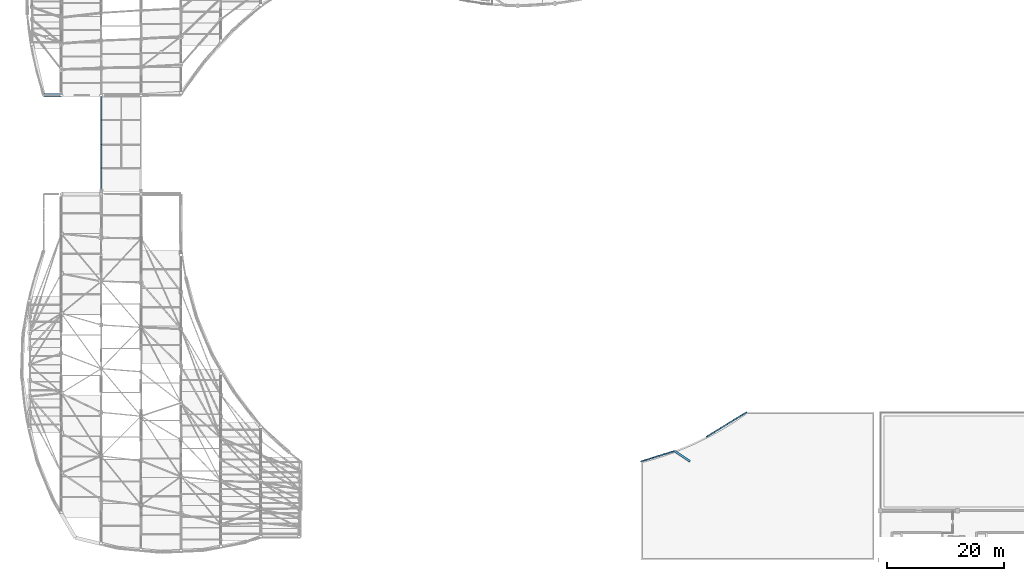
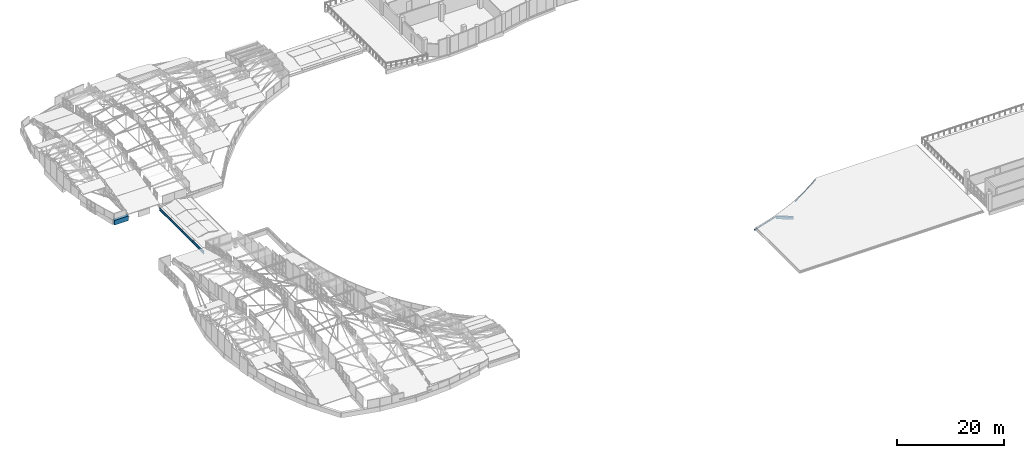
# One storey, part 63 of 188: 8 beams.
"""IFC4 building model written with IfcOpenShell, lengths in metres."""

from ifc_helpers import new_model, si_unit, direction, frame, origin, origin_2d, place, context, subcontext, project, spatial, rectangle, hollow_rectangle, i_section, extrude, material, material_profile, profile_set, type_object, element, save


model = new_model("IFC4")

# Units and contexts
model_context = context("Model", 3, precision=1e-05, world=origin(), true_north=direction((0.0, 1.0)))
body_context = subcontext(model_context, "Body", "Model", "MODEL_VIEW")
ifc_project = project(units=[si_unit("LENGTHUNIT", "METRE"), si_unit("AREAUNIT", "SQUARE_METRE"), si_unit("VOLUMEUNIT", "CUBIC_METRE"), si_unit("PLANEANGLEUNIT", "RADIAN"), si_unit("MASSUNIT", "GRAM", prefix="KILO")], contexts=[model_context])

# Site, building, storey
site_placement = place(None, origin())
site = spatial("IfcSite", under=ifc_project, at=site_placement, CompositionType="ELEMENT")
building_placement = place(site_placement, origin())
building = spatial("IfcBuilding", under=site, at=building_placement, Name="Kisaragi Civic Commons", CompositionType="ELEMENT")
storey_placement = place(building_placement, frame((0.0, 0.0, 9.60009765625)))
storey = spatial("IfcBuildingStorey", under=building, at=storey_placement, Name="L02", CompositionType="ELEMENT", Elevation=9.60009765625)

# Beams
ifc_material_1 = material(Name="Concrete Fc36", Category="concrete")
ifc_material_profile_1 = material_profile(ifc_material_1, rectangle(XDim=0.60009765625, YDim=1.050048828125, at=origin_2d()), Name="RC-600x1050", Category="concrete")
ifc_profile_set_1 = profile_set([ifc_material_profile_1], Name="Concrete Fc36")
beam_type_1 = type_object("IfcBeamType", Name="G-06", PredefinedType="BEAM", material=ifc_profile_set_1)
beam_1_placement = place(storey_placement, frame((3.800048828125, 79.199951171875, -0.84521484375), z_axis=(1.0, 0.0, 0.0), x_axis=(0.0, 1.0, 0.0)))
element("IfcBeam", 1, at=beam_1_placement, inside=storey, type_object=beam_type_1, Name="L02 girder G-06 268", PredefinedType="BEAM", context=body_context, shape_type="SweptSolid", body=[
    extrude(rectangle(XDim=0.60009765625, YDim=1.050048828125, at=origin_2d()), origin(), (0.0, 0.0, 1.0), 3.0),
])
ifc_material_2 = material(Name="Steel SN490 (SN490B)", Category="steel")
ifc_material_profile_2 = material_profile(ifc_material_2, i_section(OverallWidth=0.199951171875, OverallDepth=0.60009765625, WebThickness=0.010986328125, FlangeThickness=0.01708984375, FilletRadius=0.012939453125, at=origin_2d()), Name="H-600x200x11x17", Category="steel")
ifc_profile_set_2 = profile_set([ifc_material_profile_2], Name="Steel SN490 (SN490B)")
beam_type_2 = type_object("IfcBeamType", Name="G-10", PredefinedType="BEAM", material=ifc_profile_set_2)
for number, where, z_axis, x_axis, name in (
    (2, (13.60009765625, 79.199951171875, -1.190185546875), (0.0, -1.0, 0.0), (1.0, 0.0, 0.0), "BR-V2-V1 L02 bridge girder 76"),
    (3, (13.60009765625, 75.0, -1.190185546875), (0.0, -1.0, 0.0), (1.0, 0.0, 0.0), "BR-V2-V1 L02 bridge girder 77"),
):
    element("IfcBeam", number, at=place(storey_placement, frame(where, z_axis=z_axis, x_axis=x_axis)), inside=storey, type_object=beam_type_2, Name=name, PredefinedType="BEAM", context=body_context, shape_type="SweptSolid", body=[
        extrude(i_section(OverallWidth=0.199951171875, OverallDepth=0.60009765625, WebThickness=0.010986328125, FlangeThickness=0.01708984375, FilletRadius=0.012939453125, at=origin_2d()), origin(), (0.0, 0.0, 1.0), 4.199951171875),
    ])
beam_2_placement = place(storey_placement, frame((13.60009765625, 70.800048828125, -1.190185546875), z_axis=(0.0, -1.0, 0.0), x_axis=(1.0, 0.0, 0.0)))
element("IfcBeam", 4, at=beam_2_placement, inside=storey, type_object=beam_type_2, Name="BR-V2-V1 L02 bridge girder 78", PredefinedType="BEAM", context=body_context, shape_type="SweptSolid", body=[
    extrude(i_section(OverallWidth=0.199951171875, OverallDepth=0.60009765625, WebThickness=0.010986328125, FlangeThickness=0.01708984375, FilletRadius=0.012939453125, at=origin_2d()), origin(), (0.0, 0.0, 1.0), 4.0),
])
beam_3_placement = place(storey_placement, frame((13.60009765625, 66.800048828125, -1.190185546875), z_axis=(0.0, -1.0, 0.0), x_axis=(1.0, 0.0, 0.0)))
element("IfcBeam", 5, at=beam_3_placement, inside=storey, type_object=beam_type_2, Name="BR-V2-V1 L02 bridge girder 79", PredefinedType="BEAM", context=body_context, shape_type="SweptSolid", body=[
    extrude(i_section(OverallWidth=0.199951171875, OverallDepth=0.60009765625, WebThickness=0.010986328125, FlangeThickness=0.01708984375, FilletRadius=0.012939453125, at=origin_2d()), origin(), (0.0, 0.0, 1.0), 4.25),
])
ifc_material_3 = material(Name="Concrete Fc30", Category="concrete")
ifc_material_profile_3 = material_profile(ifc_material_3, rectangle(XDim=0.35009765625, YDim=0.60009765625, at=origin_2d()), Name="RC-350x600", Category="concrete")
ifc_profile_set_3 = profile_set([ifc_material_profile_3], Name="Concrete Fc30")
beam_type_3 = type_object("IfcBeamType", Name="G-14", PredefinedType="BEAM", material=ifc_profile_set_3)
beam_4_placement = place(storey_placement, frame((111.3212890625, 18.5830078125, -0.6201171875), z_axis=(0.832458605804, -0.554087240083, 0.0), x_axis=(0.554087240083, 0.832458605804, 0.0)))
element("IfcBeam", 6, at=beam_4_placement, inside=storey, type_object=beam_type_3, Name="L02 curved wall tie beam 294", PredefinedType="BEAM", context=body_context, shape_type="SweptSolid", body=[
    extrude(rectangle(XDim=0.35009765625, YDim=0.60009765625, at=origin_2d()), origin(), (0.0, 0.0, 1.0), 3.2177734375),
])
ifc_material_4 = material(Name="Steel STKR400", Category="steel")
ifc_material_profile_4 = material_profile(ifc_material_4, hollow_rectangle(XDim=0.14990234375, YDim=0.25, WallThickness=0.009033203125, InnerFilletRadius=0.009033203125, OuterFilletRadius=0.01806640625, at=origin_2d()), Name="STKR-250x150x9", Category="steel")
ifc_profile_set_4 = profile_set([ifc_material_profile_4], Name="Steel STKR400")
beam_type_4 = type_object("IfcBeamType", Name="LN-02", PredefinedType="LINTEL", material=ifc_profile_set_4)
beam_5_placement = place(storey_placement, frame((105.60009765625, 16.800048828125, -0.445068359375), z_axis=(0.954713110032, 0.297527944122, 0.0), x_axis=(-0.297527944122, 0.954713110032, 0.0)))
element("IfcBeam", 7, at=beam_5_placement, inside=storey, type_object=beam_type_4, Name="L02 curved spandrel/ring girder LN-02 293", PredefinedType="LINTEL", context=body_context, shape_type="SweptSolid", body=[
    extrude(hollow_rectangle(XDim=0.14990234375, YDim=0.25, WallThickness=0.009033203125, InnerFilletRadius=0.009033203125, OuterFilletRadius=0.01806640625, at=origin_2d()), origin(), (0.0, 0.0, 1.0), 5.99267578125),
])
beam_6_placement = place(storey_placement, frame((116.79931640625, 21.01220703125, -0.445068359375), z_axis=(0.851510295493, 0.524337884068, 0.0), x_axis=(-0.524337884068, 0.851510295493, 0.0)))
element("IfcBeam", 8, at=beam_6_placement, inside=storey, type_object=beam_type_4, Name="L02 curved spandrel/ring girder LN-02 295", PredefinedType="LINTEL", context=body_context, shape_type="SweptSolid", body=[
    extrude(hollow_rectangle(XDim=0.14990234375, YDim=0.25, WallThickness=0.009033203125, InnerFilletRadius=0.009033203125, OuterFilletRadius=0.01806640625, at=origin_2d()), origin(), (0.0, 0.0, 1.0), 7.98681640625),
])

save(model, "model.ifc")
